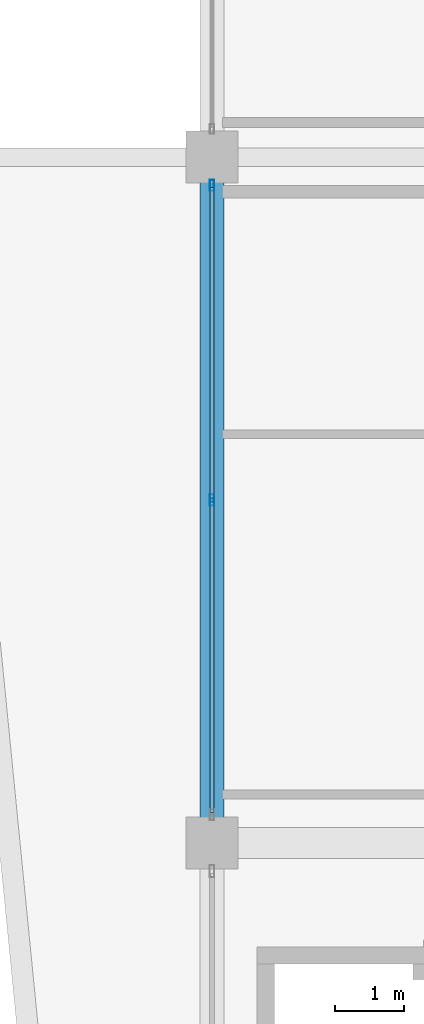
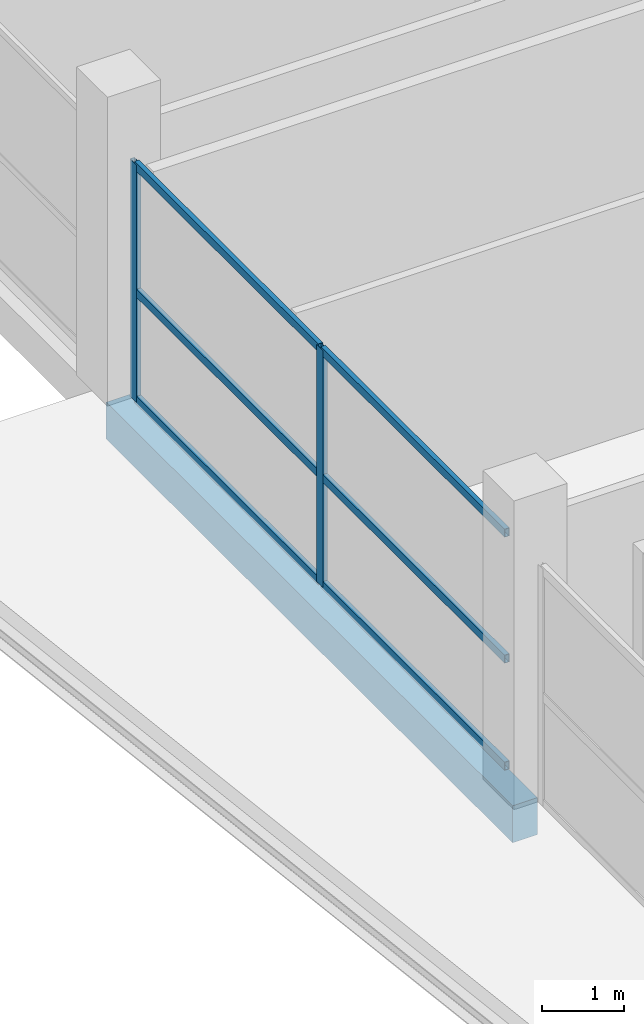
# One storey, part 18 of 55: 8 members, 1 beam, 1 element without a shape of its own.
"""IFC4 building model written with IfcOpenShell, lengths in metres."""

from ifc_helpers import new_model, si_unit, direction, frame, origin, origin_2d, place, context, subcontext, project, spatial, rectangle, hollow_rectangle, extrude, material, layer, layer_set, material_profile, profile_set, type_object, element, aggregate, save


model = new_model("IFC4")

# Units and contexts
model_context = context("Model", 3, precision=1e-05, world=origin(), true_north=direction((0.0, 1.0)))
body_context = subcontext(model_context, "Body", "Model", "MODEL_VIEW")
ifc_project = project(units=[si_unit("LENGTHUNIT", "METRE"), si_unit("AREAUNIT", "SQUARE_METRE"), si_unit("VOLUMEUNIT", "CUBIC_METRE"), si_unit("PLANEANGLEUNIT", "RADIAN"), si_unit("MASSUNIT", "GRAM", prefix="KILO")], contexts=[model_context])

# Site, building, storey
site_placement = place(None, origin())
site = spatial("IfcSite", under=ifc_project, at=site_placement, CompositionType="ELEMENT")
building_placement = place(site_placement, origin())
building = spatial("IfcBuilding", under=site, at=building_placement, Name="Sillaruma Civic Art Gallery", CompositionType="ELEMENT")
storey_placement = place(building_placement, frame((0.0, 0.0, 37.739990234375)))
storey = spatial("IfcBuildingStorey", under=building, at=storey_placement, Name="L07", CompositionType="ELEMENT", Elevation=37.739990234375)

# Beam
ifc_material_1 = material(Name="Concrete H35 (35 MPa)", Category="concrete")
ifc_material_profile_1 = material_profile(ifc_material_1, rectangle(XDim=0.35009765625, YDim=0.550048828125, at=origin_2d()), Name="RCB350x550")
ifc_profile_set_1 = profile_set([ifc_material_profile_1], Name="Concrete H35 (35 MPa)")
beam_type = type_object("IfcBeamType", Name="BM-SPANDREL-RCB350x550", PredefinedType="SPANDREL", material=ifc_profile_set_1)
beam_placement = place(storey_placement, frame((62.0, 49.5, -0.514892578125), z_axis=(0.0, 1.0, 0.0), x_axis=(-1.0, 0.0, 0.0)))
element("IfcBeam", 1, at=beam_placement, inside=storey, type_object=beam_type, Name="Beam BS-04 (L06:F:6-7)", PredefinedType="SPANDREL", context=body_context, shape_type="SweptSolid", body=[
    extrude(rectangle(XDim=0.35009765625, YDim=0.550048828125, at=origin_2d()), origin(), (0.0, 0.0, 1.0), 9.89990234375),
])

# Curtain wall, members
ifc_material_2 = material(Name="Thermally Broken Extruded Aluminium 6063-T6", Category="aluminium")
ifc_layer = layer(ifc_material_2, 0.159912109375, Name="Thermally Broken Extruded Aluminium 6063-T6")
ifc_layer_set = layer_set([ifc_layer], Name="Thermally Broken Extruded Aluminium 6063-T6")
curtain_wall_type = type_object("IfcCurtainWallType", Name="CW-UNI-46", PredefinedType="NOTDEFINED", material=ifc_layer_set)
curtain_wall_placement = place(storey_placement, origin())
curtain_wall = element("IfcCurtainWall", 2, at=curtain_wall_placement, inside=storey, type_object=curtain_wall_type, Name="Unitised Curtain Wall CW-46 (CW-L07-W-4)", PredefinedType="NOTDEFINED")
ifc_material_profile_2 = material_profile(ifc_material_2, hollow_rectangle(XDim=0.06494140625, YDim=0.159912109375, WallThickness=0.00390625, at=origin_2d()), Name="CWM65x160")
ifc_profile_set_2 = profile_set([ifc_material_profile_2], Name="Thermally Broken Extruded Aluminium 6063-T6")
member_type_1 = type_object("IfcMemberType", Name="MEM-MUL-CWM65x160", PredefinedType="MULLION", material=ifc_profile_set_2)
member_1_placement = place(storey_placement, frame((62.0, 54.449951171875, 0.0), z_axis=(0.0, 0.0, 1.0), x_axis=(-1.0, 0.0, 0.0)))
member_1 = element("IfcMember", 3, at=member_1_placement, type_object=member_type_1, Name="CW-46 mullion 2", PredefinedType="MULLION", context=body_context, shape_type="SweptSolid", body=[
    extrude(hollow_rectangle(XDim=0.06494140625, YDim=0.159912109375, WallThickness=0.00390625, at=origin_2d()), origin(), (0.0, 0.0, 1.0), 3.530029296875),
])
member_2_placement = place(storey_placement, frame((62.0, 58.992431640625, 0.0), z_axis=(0.0, 0.0, 1.0), x_axis=(-1.0, 0.0, 0.0)))
member_2 = element("IfcMember", 4, at=member_2_placement, type_object=member_type_1, Name="CW-46 mullion 3", PredefinedType="MULLION", context=body_context, shape_type="SweptSolid", body=[
    extrude(hollow_rectangle(XDim=0.06494140625, YDim=0.159912109375, WallThickness=0.00390625, at=origin_2d()), origin(), (0.0, 0.0, 1.0), 3.530029296875),
])
ifc_material_profile_3 = material_profile(ifc_material_2, hollow_rectangle(XDim=0.06494140625, YDim=0.1201171875, WallThickness=0.00341796875, at=origin_2d()), Name="CWT65x120")
ifc_profile_set_3 = profile_set([ifc_material_profile_3], Name="Thermally Broken Extruded Aluminium 6063-T6")
member_type_2 = type_object("IfcMemberType", Name="MEM-TRN-CWT65x120", PredefinedType="USERDEFINED", material=ifc_profile_set_3)
member_3_placement = place(storey_placement, frame((62.0, 49.93994140625, 0.032470703125), z_axis=(0.0, 1.0, 0.0), x_axis=(-1.0, 0.0, 0.0)))
member_3 = element("IfcMember", 5, at=member_3_placement, type_object=member_type_2, Name="CW-46 transom 1.1", ObjectType="TRANSOM", PredefinedType="USERDEFINED", context=body_context, shape_type="SweptSolid", body=[
    extrude(hollow_rectangle(XDim=0.06494140625, YDim=0.1201171875, WallThickness=0.00341796875, at=origin_2d()), origin(), (0.0, 0.0, 1.0), 4.4775390625),
])
member_4_placement = place(storey_placement, frame((62.0, 49.93994140625, 1.623779296875), z_axis=(0.0, 1.0, 0.0), x_axis=(-1.0, 0.0, 0.0)))
member_4 = element("IfcMember", 6, at=member_4_placement, type_object=member_type_2, Name="CW-46 transom 1.2", ObjectType="TRANSOM", PredefinedType="USERDEFINED", context=body_context, shape_type="SweptSolid", body=[
    extrude(hollow_rectangle(XDim=0.06494140625, YDim=0.1201171875, WallThickness=0.00341796875, at=origin_2d()), origin(), (0.0, 0.0, 1.0), 4.4775390625),
])
member_5_placement = place(storey_placement, frame((62.0, 49.93994140625, 3.49755859375), z_axis=(0.0, 1.0, 0.0), x_axis=(-1.0, 0.0, 0.0)))
member_5 = element("IfcMember", 7, at=member_5_placement, type_object=member_type_2, Name="CW-46 transom 1.3", ObjectType="TRANSOM", PredefinedType="USERDEFINED", context=body_context, shape_type="SweptSolid", body=[
    extrude(hollow_rectangle(XDim=0.06494140625, YDim=0.1201171875, WallThickness=0.00341796875, at=origin_2d()), origin(), (0.0, 0.0, 1.0), 4.4775390625),
])
member_6_placement = place(storey_placement, frame((62.0, 54.482421875, 0.032470703125), z_axis=(0.0, 1.0, 0.0), x_axis=(-1.0, 0.0, 0.0)))
member_6 = element("IfcMember", 8, at=member_6_placement, type_object=member_type_2, Name="CW-46 transom 2.1", ObjectType="TRANSOM", PredefinedType="USERDEFINED", context=body_context, shape_type="SweptSolid", body=[
    extrude(hollow_rectangle(XDim=0.06494140625, YDim=0.1201171875, WallThickness=0.00341796875, at=origin_2d()), origin(), (0.0, 0.0, 1.0), 4.4775390625),
])
member_7_placement = place(storey_placement, frame((62.0, 54.482421875, 1.623779296875), z_axis=(0.0, 1.0, 0.0), x_axis=(-1.0, 0.0, 0.0)))
member_7 = element("IfcMember", 9, at=member_7_placement, type_object=member_type_2, Name="CW-46 transom 2.2", ObjectType="TRANSOM", PredefinedType="USERDEFINED", context=body_context, shape_type="SweptSolid", body=[
    extrude(hollow_rectangle(XDim=0.06494140625, YDim=0.1201171875, WallThickness=0.00341796875, at=origin_2d()), origin(), (0.0, 0.0, 1.0), 4.4775390625),
])
member_8_placement = place(storey_placement, frame((62.0, 54.482421875, 3.49755859375), z_axis=(0.0, 1.0, 0.0), x_axis=(-1.0, 0.0, 0.0)))
member_8 = element("IfcMember", 10, at=member_8_placement, type_object=member_type_2, Name="CW-46 transom 2.3", ObjectType="TRANSOM", PredefinedType="USERDEFINED", context=body_context, shape_type="SweptSolid", body=[
    extrude(hollow_rectangle(XDim=0.06494140625, YDim=0.1201171875, WallThickness=0.00341796875, at=origin_2d()), origin(), (0.0, 0.0, 1.0), 4.4775390625),
])
aggregate(curtain_wall, [member_1, member_2, member_3, member_4, member_5, member_6, member_7, member_8])

save(model, "model.ifc")
